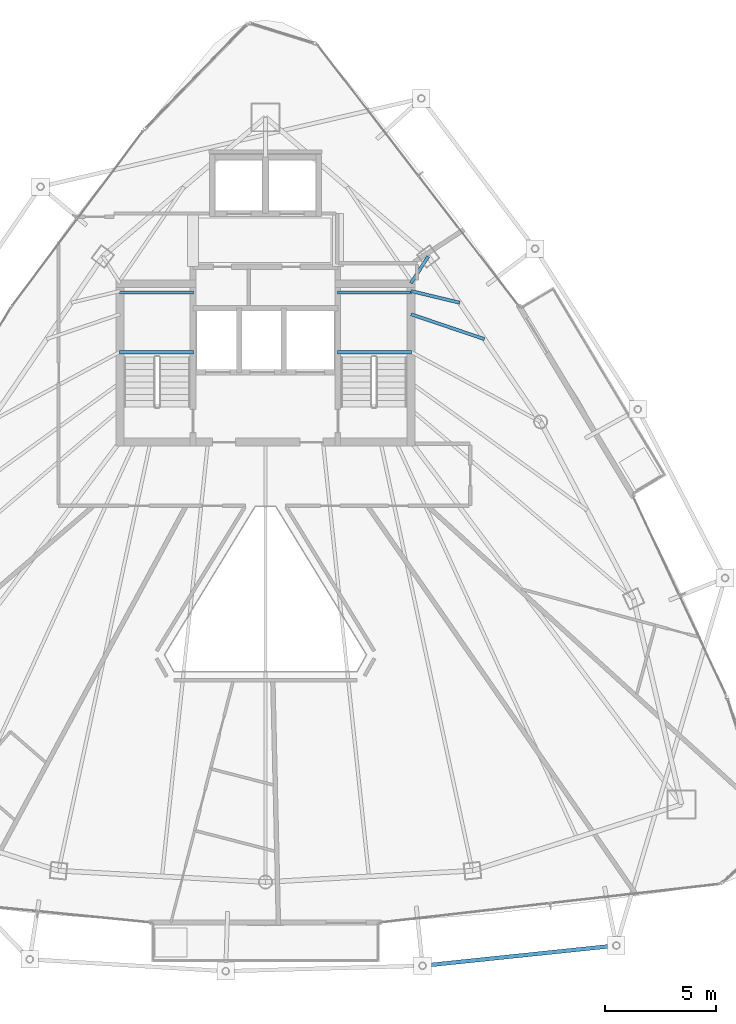
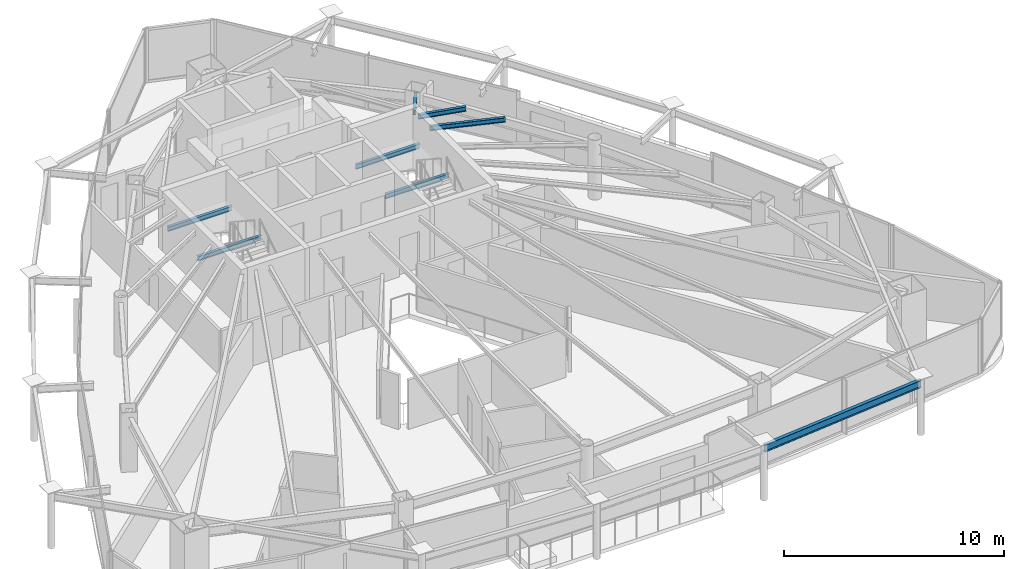
# One storey, part 13 of 30: 8 beams.
"""IFC4 building model written with IfcOpenShell, lengths in metres."""

from ifc_helpers import new_model, si_unit, direction, frame, origin, origin_2d, place, context, subcontext, project, spatial, i_section, extrude, material, material_profile, profile_set, type_object, element, save


model = new_model("IFC4")

# Units and contexts
model_context = context("Model", 3, precision=1e-05, world=origin(), true_north=direction((0.0, 1.0)))
body_context = subcontext(model_context, "Body", "Model", "MODEL_VIEW")
ifc_project = project(units=[si_unit("LENGTHUNIT", "METRE"), si_unit("AREAUNIT", "SQUARE_METRE"), si_unit("VOLUMEUNIT", "CUBIC_METRE"), si_unit("PLANEANGLEUNIT", "RADIAN"), si_unit("MASSUNIT", "GRAM", prefix="KILO")], contexts=[model_context])

# Site, building, storey
site_placement = place(None, origin())
site = spatial("IfcSite", under=ifc_project, at=site_placement, CompositionType="ELEMENT")
building_placement = place(site_placement, origin())
building = spatial("IfcBuilding", under=site, at=building_placement, Name="Orvanel Arch Residences", CompositionType="ELEMENT")
storey_placement = place(building_placement, frame((0.0, 0.0, 232.699951171875)))
storey = spatial("IfcBuildingStorey", under=building, at=storey_placement, Name="L66", CompositionType="ELEMENT", Elevation=232.699951171875)

# Beams
ifc_material = material(Name="Structural steel AS/NZS 3679.1 Grade 300 (300 MPa)", Category="steel")
ifc_material_profile_1 = material_profile(ifc_material, i_section(OverallWidth=0.14599609375, OverallDepth=0.251953125, WebThickness=0.006103515625, FlangeThickness=0.008544921875, at=origin_2d()), Name="250UB31.4")
ifc_profile_set_1 = profile_set([ifc_material_profile_1], Name="Structural steel AS/NZS 3679.1 Grade 300 (300 MPa)")
beam_type_1 = type_object("IfcBeamType", Name="BJ-250UB", PredefinedType="JOIST", material=ifc_profile_set_1)
for number, where, z_axis, x_axis, name in (
    (1, (26.39990234375, 30.780029296875, 1.323974609375), (1.0, 0.0, 0.0), (0.0, 1.0, 0.0), "L66 ST-1 Half-Landing Support Beam 1.1"),
    (2, (26.39990234375, 33.47998046875, 1.323974609375), (1.0, 0.0, 0.0), (0.0, 1.0, 0.0), "L66 ST-1 Half-Landing Support Beam 1.2"),
    (3, (36.25, 30.780029296875, 1.323974609375), (1.0, 0.0, 0.0), (0.0, 1.0, 0.0), "L66 ST-2 Half-Landing Support Beam 1.1"),
    (4, (36.25, 33.47998046875, 1.323974609375), (1.0, 0.0, 0.0), (0.0, 1.0, 0.0), "L66 ST-2 Half-Landing Support Beam 1.2"),
):
    element("IfcBeam", number, at=place(storey_placement, frame(where, z_axis=z_axis, x_axis=x_axis)), inside=storey, type_object=beam_type_1, Name=name, PredefinedType="JOIST", context=body_context, shape_type="SweptSolid", body=[
        extrude(i_section(OverallWidth=0.14599609375, OverallDepth=0.251953125, WebThickness=0.006103515625, FlangeThickness=0.008544921875, at=origin_2d()), origin(), (0.0, 0.0, 1.0), 3.35009765625),
    ])
beam_1_placement = place(storey_placement, frame((39.574951171875, 33.89990234375, 2.89404296875), z_axis=(0.539395075146, 0.842052820735, 0.0), x_axis=(-0.842052820735, 0.539395075146, 0.0)))
element("IfcBeam", 5, at=beam_1_placement, inside=storey, type_object=beam_type_1, Name="L66 NNE Wing Floor Joist", PredefinedType="JOIST", context=body_context, shape_type="SweptSolid", body=[
    extrude(i_section(OverallWidth=0.14599609375, OverallDepth=0.251953125, WebThickness=0.006103515625, FlangeThickness=0.008544921875, at=origin_2d()), origin(), (0.0, 0.0, 1.0), 1.440673828125),
])
beam_2_placement = place(storey_placement, frame((39.574951171875, 32.5, 2.89404296875), z_axis=(0.947159269453, -0.320763648641, 0.0), x_axis=(0.320763648641, 0.947159269453, 0.0)))
element("IfcBeam", 6, at=beam_2_placement, inside=storey, type_object=beam_type_1, Name="L66 ENE Wing Floor Joist", PredefinedType="JOIST", context=body_context, shape_type="SweptSolid", body=[
    extrude(i_section(OverallWidth=0.14599609375, OverallDepth=0.251953125, WebThickness=0.006103515625, FlangeThickness=0.008544921875, at=origin_2d()), origin(), (0.0, 0.0, 1.0), 3.501220703125),
])
beam_3_placement = place(storey_placement, frame((39.574951171875, 33.550048828125, 2.89404296875), z_axis=(0.972256833016, -0.23391590509, 0.0), x_axis=(0.23391590509, 0.972256833016, 0.0)))
element("IfcBeam", 7, at=beam_3_placement, inside=storey, type_object=beam_type_1, Name="L66 JADD4 Wing Floor Joist", PredefinedType="JOIST", context=body_context, shape_type="SweptSolid", body=[
    extrude(i_section(OverallWidth=0.14599609375, OverallDepth=0.251953125, WebThickness=0.006103515625, FlangeThickness=0.008544921875, at=origin_2d()), origin(), (0.0, 0.0, 1.0), 2.26171875),
])
ifc_material_profile_2 = material_profile(ifc_material, i_section(OverallWidth=0.177978515625, OverallDepth=0.406005859375, WebThickness=0.0078125, FlangeThickness=0.0126953125, at=origin_2d()), Name="410UB59.7")
ifc_profile_set_2 = profile_set([ifc_material_profile_2], Name="Structural steel AS/NZS 3679.1 Grade 300 (300 MPa)")
beam_type_2 = type_object("IfcBeamType", Name="OB-410UB-EXT", PredefinedType="SPANDREL", material=ifc_profile_set_2)
beam_4_placement = place(storey_placement, frame((40.096923828125, 3.06005859375, 2.817138671875), z_axis=(0.994597734861, 0.103804363151, 0.0), x_axis=(-0.103804363151, 0.994597734861, 0.0)))
element("IfcBeam", 8, at=beam_4_placement, inside=storey, type_object=beam_type_2, Name="L66 Outer Perimeter Floor Ring Beam 07", PredefinedType="SPANDREL", context=body_context, shape_type="SweptSolid", body=[
    extrude(i_section(OverallWidth=0.177978515625, OverallDepth=0.406005859375, WebThickness=0.0078125, FlangeThickness=0.0126953125, at=origin_2d()), origin(), (0.0, 0.0, 1.0), 8.8056640625),
])

save(model, "model.ifc")
